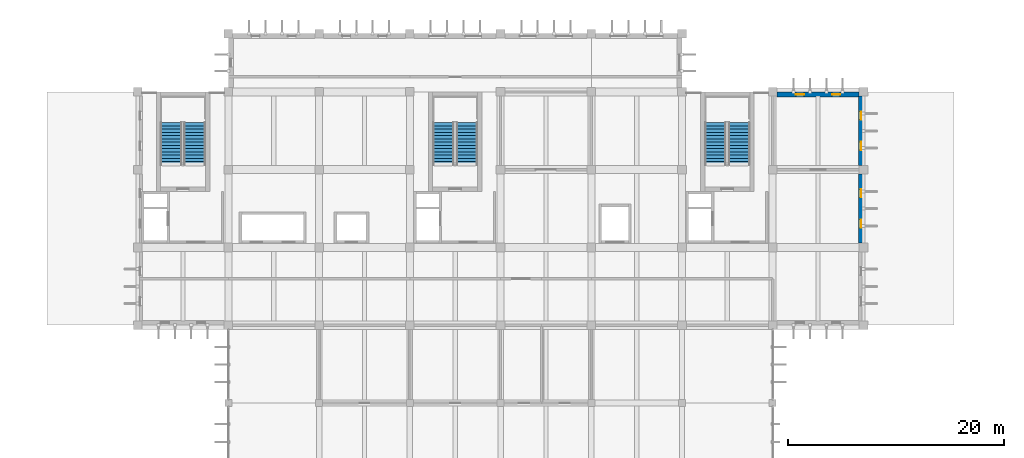
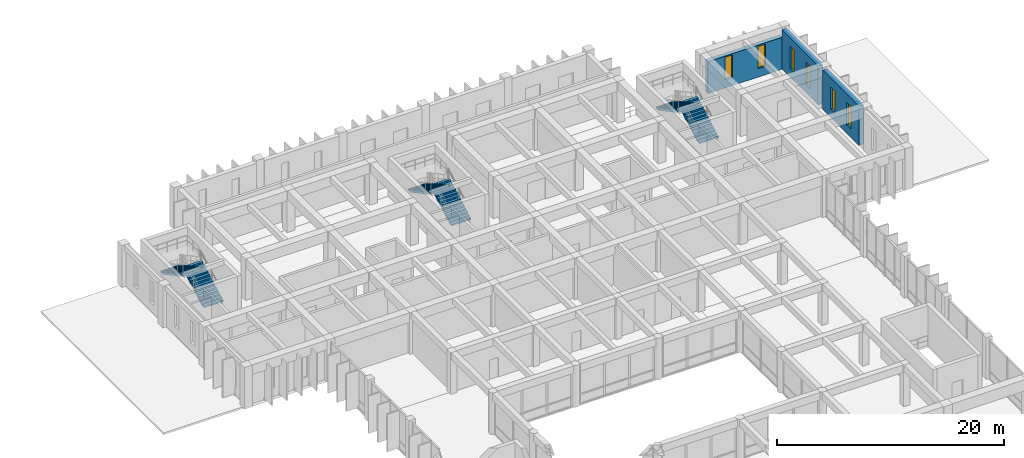
# One storey, part 31 of 40: 6 stair flights, 6 windows, 3 walls, 6 openings, 3 elements without a shape of their own.
"""IFC4 building model written with IfcOpenShell, lengths in metres."""

from ifc_helpers import new_model, si_unit, direction, frame, frame_2d, origin, place, context, subcontext, project, spatial, polyline, rectangle, outline, extrude, material, layer, layer_set, type_object, element, fill, aggregate, save


model = new_model("IFC4")

# Units and contexts
model_context = context("Model", 3, precision=1e-05, world=origin(), true_north=direction((0.0, 1.0)))
body_context = subcontext(model_context, "Body", "Model", "MODEL_VIEW")
ifc_project = project(units=[si_unit("LENGTHUNIT", "METRE"), si_unit("AREAUNIT", "SQUARE_METRE"), si_unit("VOLUMEUNIT", "CUBIC_METRE"), si_unit("PLANEANGLEUNIT", "RADIAN"), si_unit("MASSUNIT", "GRAM", prefix="KILO")], contexts=[model_context])

# Site, building, storey
site_placement = place(None, origin())
site = spatial("IfcSite", under=ifc_project, at=site_placement, CompositionType="ELEMENT")
building_placement = place(site_placement, origin())
building = spatial("IfcBuilding", under=site, at=building_placement, Name="Kenerak Square Central Library", CompositionType="ELEMENT")
storey_placement = place(building_placement, frame((0.0, 0.0, 14.39990234375)))
storey = spatial("IfcBuildingStorey", under=building, at=storey_placement, Name="L03", CompositionType="ELEMENT", Elevation=14.39990234375)

# Wall, openings, windows
ifc_material_1 = material(Name="Concrete C40/50", Category="concrete")
ifc_layer = layer(ifc_material_1, 0.449951171875)
ifc_layer_set = layer_set([ifc_layer], Name="Concrete C40/50")
wall_type = type_object("IfcWallType", Name="Rare-Books Vault Exterior Wall VW-450 C40/50", PredefinedType="SOLIDWALL", material=ifc_layer_set)
wall_1_placement = place(storey_placement, frame((117.60009765625, 110.175048828125, 0.0), z_axis=(0.0, 0.0, 1.0), x_axis=(1.0, 0.0, 0.0)))
wall_1 = element("IfcWall", 1, at=wall_1_placement, inside=storey, type_object=wall_type, Name="Exterior Facade Wall L03 0206", PredefinedType="SOLIDWALL", context=body_context, shape_type="SweptSolid", body=[
    extrude(rectangle(XDim=7.599853515625, YDim=0.449951171875, at=frame_2d((3.7998046875, 0.0))), origin(), (0.0, 0.0, 1.0), 3.43017578125),
])
opening_1_placement = place(wall_1_placement, frame((1.7529296875, 0.0, 0.89990234375)))
opening_1 = element("IfcOpeningElement", 2, at=opening_1_placement, cuts=wall_1, Name="Opening W-02", PredefinedType="OPENING", context=body_context, shape_type="SweptSolid", body=[
    extrude(rectangle(XDim=0.75, YDim=2.39990234375, at=frame_2d((0.375, 1.199951171875))), frame((0.0, 0.23486328125, 0.0), z_axis=(0.0, -1.0, 0.0), x_axis=(1.0, 0.0, 0.0)), (0.0, 0.0, 1.0), 0.469970703125),
])
opening_2_placement = place(wall_1_placement, frame((5.096923828125, 0.0, 0.89990234375)))
opening_2 = element("IfcOpeningElement", 3, at=opening_2_placement, cuts=wall_1, Name="Opening W-02", PredefinedType="OPENING", context=body_context, shape_type="SweptSolid", body=[
    extrude(rectangle(XDim=0.75, YDim=2.39990234375, at=frame_2d((0.375, 1.199951171875))), frame((0.0, 0.23486328125, 0.0), z_axis=(0.0, -1.0, 0.0), x_axis=(1.0, 0.0, 0.0)), (0.0, 0.0, 1.0), 0.469970703125),
])
ifc_material_2 = material(Name="Solar-control low-E laminated double glazing", Category="glass")
window_type = type_object("IfcWindowType", Name="Archive Narrow Slot Window W-02 750x2400", PartitioningType="SINGLE_PANEL", PredefinedType="WINDOW", material=ifc_material_2)
window_1_placement = place(opening_1_placement, origin())
window_1 = element("IfcWindow", 4, at=window_1_placement, inside=storey, type_object=window_type, Name="Window W-02 L03 0222", OverallHeight=2.39990234375, OverallWidth=0.75, PartitioningType="SINGLE_PANEL", PredefinedType="WINDOW", context=body_context, shape_type="SweptSolid", body=[
    extrude(rectangle(XDim=0.75, YDim=2.39990234375, at=frame_2d((0.375, 1.199951171875))), frame((0.0, 0.030029296875, 0.0), z_axis=(0.0, -1.0, 0.0), x_axis=(1.0, 0.0, 0.0)), (0.0, 0.0, 1.0), 0.06005859375),
])
fill(opening_1, window_1)
window_2_placement = place(opening_2_placement, origin())
window_2 = element("IfcWindow", 5, at=window_2_placement, inside=storey, type_object=window_type, Name="Window W-02 L03 0223", OverallHeight=2.39990234375, OverallWidth=0.75, PartitioningType="SINGLE_PANEL", PredefinedType="WINDOW", context=body_context, shape_type="SweptSolid", body=[
    extrude(rectangle(XDim=0.75, YDim=2.39990234375, at=frame_2d((0.375, 1.199951171875))), frame((0.0, 0.030029296875, 0.0), z_axis=(0.0, -1.0, 0.0), x_axis=(1.0, 0.0, 0.0)), (0.0, 0.0, 1.0), 0.06005859375),
])
fill(opening_2, window_2)

wall_2_placement = place(storey_placement, frame((125.375, 110.0, 0.0), z_axis=(0.0, 0.0, 1.0), x_axis=(0.0, -1.0, 0.0)))
wall_2 = element("IfcWall", 6, at=wall_2_placement, inside=storey, type_object=wall_type, Name="Exterior Facade Wall L03 0207", PredefinedType="SOLIDWALL", context=body_context, shape_type="SweptSolid", body=[
    extrude(rectangle(XDim=6.39990234375, YDim=0.449951171875, at=frame_2d((3.199951171875, 0.0))), origin(), (0.0, 0.0, 1.0), 4.22998046875),
])
opening_3_placement = place(wall_2_placement, frame((1.4169921875, 0.0, 0.89990234375)))
opening_3 = element("IfcOpeningElement", 7, at=opening_3_placement, cuts=wall_2, Name="Opening W-02", PredefinedType="OPENING", context=body_context, shape_type="SweptSolid", body=[
    extrude(rectangle(XDim=0.75, YDim=2.39990234375, at=frame_2d((0.375, 1.199951171875))), frame((0.0, 0.23486328125, 0.0), z_axis=(0.0, -1.0, 0.0), x_axis=(1.0, 0.0, 0.0)), (0.0, 0.0, 1.0), 0.469970703125),
])
opening_4_placement = place(wall_2_placement, frame((4.23291015625, 0.0, 0.89990234375)))
opening_4 = element("IfcOpeningElement", 8, at=opening_4_placement, cuts=wall_2, Name="Opening W-02", PredefinedType="OPENING", context=body_context, shape_type="SweptSolid", body=[
    extrude(rectangle(XDim=0.75, YDim=2.39990234375, at=frame_2d((0.375, 1.199951171875))), frame((0.0, 0.23486328125, 0.0), z_axis=(0.0, -1.0, 0.0), x_axis=(1.0, 0.0, 0.0)), (0.0, 0.0, 1.0), 0.469970703125),
])
window_3_placement = place(opening_3_placement, origin())
window_3 = element("IfcWindow", 9, at=window_3_placement, inside=storey, type_object=window_type, Name="Window W-02 L03 0224", OverallHeight=2.39990234375, OverallWidth=0.75, PartitioningType="SINGLE_PANEL", PredefinedType="WINDOW", context=body_context, shape_type="SweptSolid", body=[
    extrude(rectangle(XDim=0.75, YDim=2.39990234375, at=frame_2d((0.375, 1.199951171875))), frame((0.0, 0.030029296875, 0.0), z_axis=(0.0, -1.0, 0.0), x_axis=(1.0, 0.0, 0.0)), (0.0, 0.0, 1.0), 0.06005859375),
])
fill(opening_3, window_3)
window_4_placement = place(opening_4_placement, origin())
window_4 = element("IfcWindow", 10, at=window_4_placement, inside=storey, type_object=window_type, Name="Window W-02 L03 0225", OverallHeight=2.39990234375, OverallWidth=0.75, PartitioningType="SINGLE_PANEL", PredefinedType="WINDOW", context=body_context, shape_type="SweptSolid", body=[
    extrude(rectangle(XDim=0.75, YDim=2.39990234375, at=frame_2d((0.375, 1.199951171875))), frame((0.0, 0.030029296875, 0.0), z_axis=(0.0, -1.0, 0.0), x_axis=(1.0, 0.0, 0.0)), (0.0, 0.0, 1.0), 0.06005859375),
])
fill(opening_4, window_4)

wall_3_placement = place(storey_placement, frame((125.375, 102.800048828125, 0.0), z_axis=(0.0, 0.0, 1.0), x_axis=(0.0, -1.0, 0.0)))
wall_3 = element("IfcWall", 11, at=wall_3_placement, inside=storey, type_object=wall_type, Name="Exterior Facade Wall L03 0208", PredefinedType="SOLIDWALL", context=body_context, shape_type="SweptSolid", body=[
    extrude(rectangle(XDim=6.400146484375, YDim=0.449951171875, at=frame_2d((3.2001953125, 0.0))), origin(), (0.0, 0.0, 1.0), 4.22998046875),
])
opening_5_placement = place(wall_3_placement, frame((1.4169921875, 0.0, 0.89990234375)))
opening_5 = element("IfcOpeningElement", 12, at=opening_5_placement, cuts=wall_3, Name="Opening W-02", PredefinedType="OPENING", context=body_context, shape_type="SweptSolid", body=[
    extrude(rectangle(XDim=0.75, YDim=2.39990234375, at=frame_2d((0.375, 1.199951171875))), frame((0.0, 0.23486328125, 0.0), z_axis=(0.0, -1.0, 0.0), x_axis=(1.0, 0.0, 0.0)), (0.0, 0.0, 1.0), 0.469970703125),
])
opening_6_placement = place(wall_3_placement, frame((4.23291015625, 0.0, 0.89990234375)))
opening_6 = element("IfcOpeningElement", 13, at=opening_6_placement, cuts=wall_3, Name="Opening W-02", PredefinedType="OPENING", context=body_context, shape_type="SweptSolid", body=[
    extrude(rectangle(XDim=0.75, YDim=2.39990234375, at=frame_2d((0.375, 1.199951171875))), frame((0.0, 0.23486328125, 0.0), z_axis=(0.0, -1.0, 0.0), x_axis=(1.0, 0.0, 0.0)), (0.0, 0.0, 1.0), 0.469970703125),
])
window_5_placement = place(opening_5_placement, origin())
window_5 = element("IfcWindow", 14, at=window_5_placement, inside=storey, type_object=window_type, Name="Window W-02 L03 0226", OverallHeight=2.39990234375, OverallWidth=0.75, PartitioningType="SINGLE_PANEL", PredefinedType="WINDOW", context=body_context, shape_type="SweptSolid", body=[
    extrude(rectangle(XDim=0.75, YDim=2.39990234375, at=frame_2d((0.375, 1.199951171875))), frame((0.0, 0.030029296875, 0.0), z_axis=(0.0, -1.0, 0.0), x_axis=(1.0, 0.0, 0.0)), (0.0, 0.0, 1.0), 0.06005859375),
])
fill(opening_5, window_5)
window_6_placement = place(opening_6_placement, origin())
window_6 = element("IfcWindow", 15, at=window_6_placement, inside=storey, type_object=window_type, Name="Window W-02 L03 0227", OverallHeight=2.39990234375, OverallWidth=0.75, PartitioningType="SINGLE_PANEL", PredefinedType="WINDOW", context=body_context, shape_type="SweptSolid", body=[
    extrude(rectangle(XDim=0.75, YDim=2.39990234375, at=frame_2d((0.375, 1.199951171875))), frame((0.0, 0.030029296875, 0.0), z_axis=(0.0, -1.0, 0.0), x_axis=(1.0, 0.0, 0.0)), (0.0, 0.0, 1.0), 0.06005859375),
])
fill(opening_6, window_6)

# Stair, stair flights
stair_type = type_object("IfcStairType", Name="Exit Dogleg Stair ST-448 C40/50", PredefinedType="HALF_TURN_STAIR", material=ifc_material_1)
stair_1_placement = place(storey_placement, origin())
stair_1 = element("IfcStair", 16, at=stair_1_placement, inside=storey, type_object=stair_type, Name="L03 Protected Exit Stair ST-01", PredefinedType="HALF_TURN_STAIR")
stair_flight_type = type_object("IfcStairFlightType", Name="Exit Stair Flight FL-14 C40/50", PredefinedType="STRAIGHT", material=ifc_material_1)
stair_flight_1_placement = place(storey_placement, frame((63.68994140625, 103.64990234375, 0.0), z_axis=(0.0, 0.0, 1.0), x_axis=(0.0, 1.0, 0.0)))
stair_flight_1 = element("IfcStairFlight", 17, at=stair_flight_1_placement, type_object=stair_flight_type, Name="ST-01 Flight 1", NumberOfRisers=14, NumberOfTreads=13, PredefinedType="STRAIGHT", RiserHeight=0.16, TreadLength=0.3, context=body_context, shape_type="SweptSolid", body=[
    extrude(outline(polyline([(0.0, 0.0), (0.0, 0.159912109375), (0.300048828125, 0.159912109375), (0.300048828125, 0.320068359375), (0.60009765625, 0.320068359375), (0.60009765625, 0.47998046875), (0.89990234375, 0.47998046875), (0.89990234375, 0.639892578125), (1.199951171875, 0.639892578125), (1.199951171875, 0.800048828125), (1.5, 0.800048828125), (1.5, 0.9599609375), (1.800048828125, 0.9599609375), (1.800048828125, 1.1201171875), (2.10009765625, 1.1201171875), (2.10009765625, 1.280029296875), (2.39990234375, 1.280029296875), (2.39990234375, 1.43994140625), (2.699951171875, 1.43994140625), (2.699951171875, 1.60009765625), (3.0, 1.60009765625), (3.0, 1.760009765625), (3.300048828125, 1.760009765625), (3.300048828125, 1.919921875), (3.60009765625, 1.919921875), (3.60009765625, 2.080078125), (3.89990234375, 2.080078125), (3.89990234375, 2.239990234375), (3.89990234375, 1.8759765625), (0.38232421875, 0.0), (0.0, 0.0)])), frame((0.0, 0.989990234375, 0.0), z_axis=(0.0, -1.0, 0.0), x_axis=(1.0, 0.0, 0.0)), (0.0, 0.0, 1.0), 1.97998046875),
])
stair_flight_2_placement = place(storey_placement, frame((61.510009765625, 107.550048828125, 2.239990234375), z_axis=(0.0, 0.0, 1.0), x_axis=(0.0, -1.0, 0.0)))
stair_flight_2 = element("IfcStairFlight", 18, at=stair_flight_2_placement, type_object=stair_flight_type, Name="ST-01 Flight 2", NumberOfRisers=14, NumberOfTreads=13, PredefinedType="STRAIGHT", RiserHeight=0.16, TreadLength=0.3, context=body_context, shape_type="SweptSolid", body=[
    extrude(outline(polyline([(0.0, 0.0), (0.0, 0.159912109375), (0.300048828125, 0.159912109375), (0.300048828125, 0.320068359375), (0.60009765625, 0.320068359375), (0.60009765625, 0.47998046875), (0.89990234375, 0.47998046875), (0.89990234375, 0.639892578125), (1.199951171875, 0.639892578125), (1.199951171875, 0.800048828125), (1.5, 0.800048828125), (1.5, 0.9599609375), (1.800048828125, 0.9599609375), (1.800048828125, 1.1201171875), (2.10009765625, 1.1201171875), (2.10009765625, 1.280029296875), (2.39990234375, 1.280029296875), (2.39990234375, 1.43994140625), (2.699951171875, 1.43994140625), (2.699951171875, 1.60009765625), (3.0, 1.60009765625), (3.0, 1.760009765625), (3.300048828125, 1.760009765625), (3.300048828125, 1.919921875), (3.60009765625, 1.919921875), (3.60009765625, 2.080078125), (3.89990234375, 2.080078125), (3.89990234375, 2.239990234375), (3.89990234375, 1.8759765625), (0.38232421875, 0.0), (0.0, 0.0)])), frame((0.0, 0.989990234375, 0.0), z_axis=(0.0, -1.0, 0.0), x_axis=(1.0, 0.0, 0.0)), (0.0, 0.0, 1.0), 1.97998046875),
])
aggregate(stair_1, [stair_flight_1, stair_flight_2])

stair_2_placement = place(storey_placement, origin())
stair_2 = element("IfcStair", 19, at=stair_2_placement, inside=storey, type_object=stair_type, Name="L03 Protected Exit Stair ST-02", PredefinedType="HALF_TURN_STAIR")
stair_flight_3_placement = place(storey_placement, frame((88.889892578125, 103.64990234375, 0.0), z_axis=(0.0, 0.0, 1.0), x_axis=(0.0, 1.0, 0.0)))
stair_flight_3 = element("IfcStairFlight", 20, at=stair_flight_3_placement, type_object=stair_flight_type, Name="ST-02 Flight 1", NumberOfRisers=14, NumberOfTreads=13, PredefinedType="STRAIGHT", RiserHeight=0.16, TreadLength=0.3, context=body_context, shape_type="SweptSolid", body=[
    extrude(outline(polyline([(0.0, 0.0), (0.0, 0.159912109375), (0.300048828125, 0.159912109375), (0.300048828125, 0.320068359375), (0.60009765625, 0.320068359375), (0.60009765625, 0.47998046875), (0.89990234375, 0.47998046875), (0.89990234375, 0.639892578125), (1.199951171875, 0.639892578125), (1.199951171875, 0.800048828125), (1.5, 0.800048828125), (1.5, 0.9599609375), (1.800048828125, 0.9599609375), (1.800048828125, 1.1201171875), (2.10009765625, 1.1201171875), (2.10009765625, 1.280029296875), (2.39990234375, 1.280029296875), (2.39990234375, 1.43994140625), (2.699951171875, 1.43994140625), (2.699951171875, 1.60009765625), (3.0, 1.60009765625), (3.0, 1.760009765625), (3.300048828125, 1.760009765625), (3.300048828125, 1.919921875), (3.60009765625, 1.919921875), (3.60009765625, 2.080078125), (3.89990234375, 2.080078125), (3.89990234375, 2.239990234375), (3.89990234375, 1.8759765625), (0.38232421875, 0.0), (0.0, 0.0)])), frame((0.0, 0.989990234375, 0.0), z_axis=(0.0, -1.0, 0.0), x_axis=(1.0, 0.0, 0.0)), (0.0, 0.0, 1.0), 1.97998046875),
])
stair_flight_4_placement = place(storey_placement, frame((86.7099609375, 107.550048828125, 2.239990234375), z_axis=(0.0, 0.0, 1.0), x_axis=(0.0, -1.0, 0.0)))
stair_flight_4 = element("IfcStairFlight", 21, at=stair_flight_4_placement, type_object=stair_flight_type, Name="ST-02 Flight 2", NumberOfRisers=14, NumberOfTreads=13, PredefinedType="STRAIGHT", RiserHeight=0.16, TreadLength=0.3, context=body_context, shape_type="SweptSolid", body=[
    extrude(outline(polyline([(0.0, 0.0), (0.0, 0.159912109375), (0.300048828125, 0.159912109375), (0.300048828125, 0.320068359375), (0.60009765625, 0.320068359375), (0.60009765625, 0.47998046875), (0.89990234375, 0.47998046875), (0.89990234375, 0.639892578125), (1.199951171875, 0.639892578125), (1.199951171875, 0.800048828125), (1.5, 0.800048828125), (1.5, 0.9599609375), (1.800048828125, 0.9599609375), (1.800048828125, 1.1201171875), (2.10009765625, 1.1201171875), (2.10009765625, 1.280029296875), (2.39990234375, 1.280029296875), (2.39990234375, 1.43994140625), (2.699951171875, 1.43994140625), (2.699951171875, 1.60009765625), (3.0, 1.60009765625), (3.0, 1.760009765625), (3.300048828125, 1.760009765625), (3.300048828125, 1.919921875), (3.60009765625, 1.919921875), (3.60009765625, 2.080078125), (3.89990234375, 2.080078125), (3.89990234375, 2.239990234375), (3.89990234375, 1.8759765625), (0.38232421875, 0.0), (0.0, 0.0)])), frame((0.0, 0.989990234375, 0.0), z_axis=(0.0, -1.0, 0.0), x_axis=(1.0, 0.0, 0.0)), (0.0, 0.0, 1.0), 1.97998046875),
])
aggregate(stair_2, [stair_flight_3, stair_flight_4])

stair_3_placement = place(storey_placement, origin())
stair_3 = element("IfcStair", 22, at=stair_3_placement, inside=storey, type_object=stair_type, Name="L03 Protected Exit Stair ST-03", PredefinedType="HALF_TURN_STAIR")
stair_flight_5_placement = place(storey_placement, frame((114.090087890625, 103.64990234375, 0.0), z_axis=(0.0, 0.0, 1.0), x_axis=(0.0, 1.0, 0.0)))
stair_flight_5 = element("IfcStairFlight", 23, at=stair_flight_5_placement, type_object=stair_flight_type, Name="ST-03 Flight 1", NumberOfRisers=14, NumberOfTreads=13, PredefinedType="STRAIGHT", RiserHeight=0.16, TreadLength=0.3, context=body_context, shape_type="SweptSolid", body=[
    extrude(outline(polyline([(0.0, 0.0), (0.0, 0.159912109375), (0.300048828125, 0.159912109375), (0.300048828125, 0.320068359375), (0.60009765625, 0.320068359375), (0.60009765625, 0.47998046875), (0.89990234375, 0.47998046875), (0.89990234375, 0.639892578125), (1.199951171875, 0.639892578125), (1.199951171875, 0.800048828125), (1.5, 0.800048828125), (1.5, 0.9599609375), (1.800048828125, 0.9599609375), (1.800048828125, 1.1201171875), (2.10009765625, 1.1201171875), (2.10009765625, 1.280029296875), (2.39990234375, 1.280029296875), (2.39990234375, 1.43994140625), (2.699951171875, 1.43994140625), (2.699951171875, 1.60009765625), (3.0, 1.60009765625), (3.0, 1.760009765625), (3.300048828125, 1.760009765625), (3.300048828125, 1.919921875), (3.60009765625, 1.919921875), (3.60009765625, 2.080078125), (3.89990234375, 2.080078125), (3.89990234375, 2.239990234375), (3.89990234375, 1.8759765625), (0.38232421875, 0.0), (0.0, 0.0)])), frame((0.0, 0.989990234375, 0.0), z_axis=(0.0, -1.0, 0.0), x_axis=(1.0, 0.0, 0.0)), (0.0, 0.0, 1.0), 1.97998046875),
])
stair_flight_6_placement = place(storey_placement, frame((111.909912109375, 107.550048828125, 2.239990234375), z_axis=(0.0, 0.0, 1.0), x_axis=(0.0, -1.0, 0.0)))
stair_flight_6 = element("IfcStairFlight", 24, at=stair_flight_6_placement, type_object=stair_flight_type, Name="ST-03 Flight 2", NumberOfRisers=14, NumberOfTreads=13, PredefinedType="STRAIGHT", RiserHeight=0.16, TreadLength=0.3, context=body_context, shape_type="SweptSolid", body=[
    extrude(outline(polyline([(0.0, 0.0), (0.0, 0.159912109375), (0.300048828125, 0.159912109375), (0.300048828125, 0.320068359375), (0.60009765625, 0.320068359375), (0.60009765625, 0.47998046875), (0.89990234375, 0.47998046875), (0.89990234375, 0.639892578125), (1.199951171875, 0.639892578125), (1.199951171875, 0.800048828125), (1.5, 0.800048828125), (1.5, 0.9599609375), (1.800048828125, 0.9599609375), (1.800048828125, 1.1201171875), (2.10009765625, 1.1201171875), (2.10009765625, 1.280029296875), (2.39990234375, 1.280029296875), (2.39990234375, 1.43994140625), (2.699951171875, 1.43994140625), (2.699951171875, 1.60009765625), (3.0, 1.60009765625), (3.0, 1.760009765625), (3.300048828125, 1.760009765625), (3.300048828125, 1.919921875), (3.60009765625, 1.919921875), (3.60009765625, 2.080078125), (3.89990234375, 2.080078125), (3.89990234375, 2.239990234375), (3.89990234375, 1.8759765625), (0.38232421875, 0.0), (0.0, 0.0)])), frame((0.0, 0.989990234375, 0.0), z_axis=(0.0, -1.0, 0.0), x_axis=(1.0, 0.0, 0.0)), (0.0, 0.0, 1.0), 1.97998046875),
])
aggregate(stair_3, [stair_flight_5, stair_flight_6])

save(model, "model.ifc")
